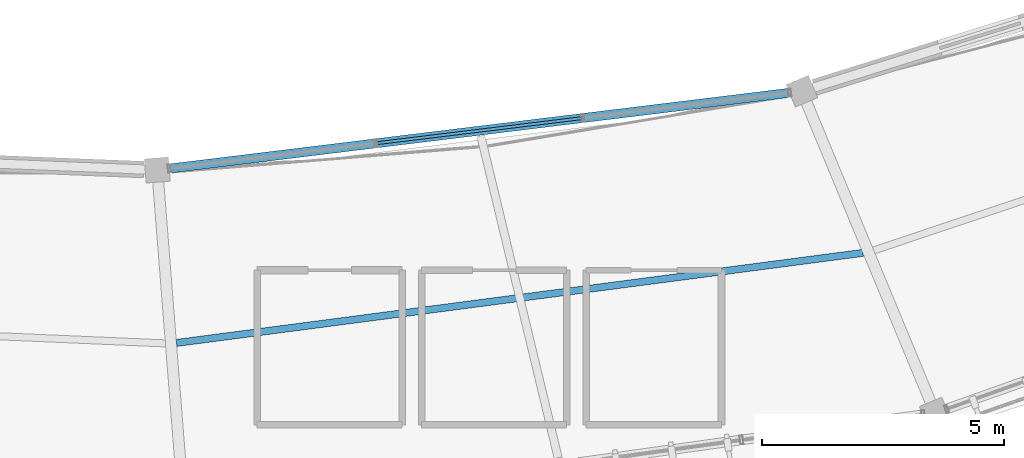
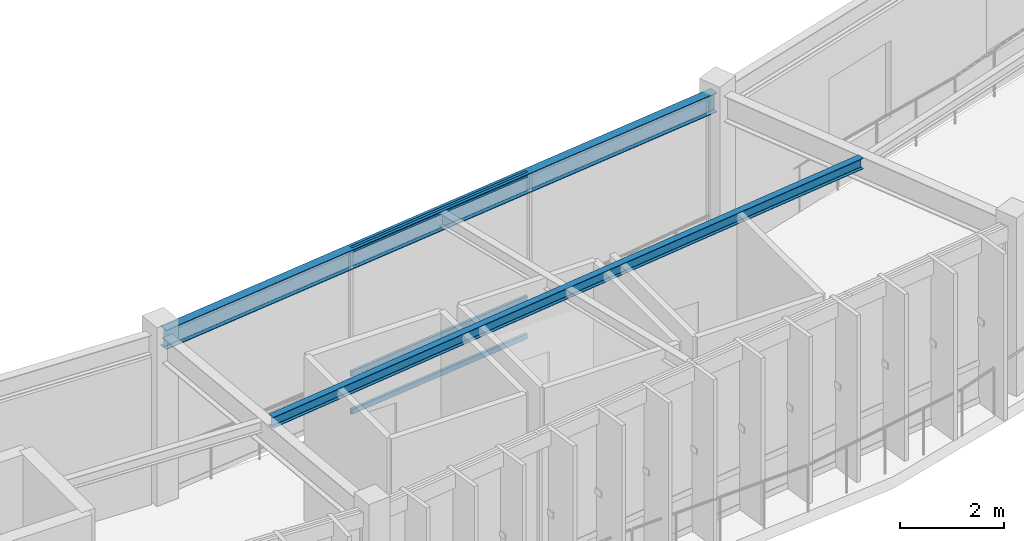
# One storey, part 21 of 78: 3 members, 2 beams, 1 element without a shape of its own.
"""IFC4 building model written with IfcOpenShell, lengths in metres."""

import ifcopenshell
import ifcopenshell.guid

model = None  # the IFC model being written
_history = None  # IfcOwnerHistory: only IFC2X3 demands one
_inside = {}  # id of a spatial element -> (the spatial element, [elements in it])
_under = {}  # id of a project, library or spatial element -> (it, [spatial elements below it])
_declared = {}  # id of a project -> (the project, [libraries it declares])
_typed = {}  # id of a type object -> (the type object, [elements of that type])
_made_of = {}  # id of a material, layer set ... -> (it, [elements and type objects made of it])


def new_model(schema):
    """Start an empty IFC model of exactly this schema.

    Asked for "IFC4X3", IfcOpenShell would pick the latest addendum, in which some entities
    have other attributes; the version numbers below select the first issue.
    IFC2X3 requires an IfcOwnerHistory on every rooted entity: one is made here for all.
    """
    global model, _history
    if schema == "IFC4X3":
        model = ifcopenshell.file(schema_version=(4, 3, 0, 0))
    else:
        model = ifcopenshell.file(schema=schema)
    _inside.clear()
    _under.clear()
    _declared.clear()
    _typed.clear()
    _made_of.clear()
    _history = None
    if model.schema == "IFC2X3":
        org = make("IfcOrganization", Name="unknown")
        user = make(
            "IfcPersonAndOrganization",
            ThePerson=make("IfcPerson", FamilyName="unknown"),
            TheOrganization=org,
        )
        app = make(
            "IfcApplication",
            ApplicationDeveloper=org,
            Version="unknown",
            ApplicationFullName="unknown",
            ApplicationIdentifier="unknown",
        )
        _history = make(
            "IfcOwnerHistory",
            OwningUser=user,
            OwningApplication=app,
            ChangeAction="ADDED",
            CreationDate=0,
        )
    return model


def make(cls, **values):
    """One entity of the class cls with the attributes given. An attribute that is None is left unset."""
    return model.create_entity(
        cls, **{name: value for name, value in values.items() if value is not None}
    )


def rooted(cls, **values):
    """An entity with a GlobalId (a new one), such as an element, a storey or a relation."""
    return make(cls, GlobalId=ifcopenshell.guid.new(), OwnerHistory=_history, **values)


def si_unit(unit_type, name, prefix=None):
    """IfcSIUnit, for example si_unit("LENGTHUNIT", "METRE", prefix="MILLI")."""
    return make("IfcSIUnit", UnitType=unit_type, Prefix=prefix, Name=name)


def assignment(units):
    """IfcUnitAssignment: the units of a project."""
    return None if units is None else make("IfcUnitAssignment", Units=units)


def point(xyz):
    """IfcCartesianPoint."""
    return None if xyz is None else make("IfcCartesianPoint", Coordinates=xyz)


def direction(xyz):
    """IfcDirection."""
    return None if xyz is None else make("IfcDirection", DirectionRatios=xyz)


def frame(location, z_axis=None, x_axis=None):
    """IfcAxis2Placement3D, a coordinate frame: its origin and axes. An axis left out is left unset."""
    return make(
        "IfcAxis2Placement3D",
        Location=point(location),
        Axis=direction(z_axis),
        RefDirection=direction(x_axis),
    )


def frame_2d(location, x_axis=None):
    """IfcAxis2Placement2D, a coordinate frame in the plane: its origin and x axis."""
    return make(
        "IfcAxis2Placement2D", Location=point(location), RefDirection=direction(x_axis)
    )


def origin():
    """The frame at (0, 0, 0) with its axes left unset."""
    return frame((0.0, 0.0, 0.0))


def origin_2d():
    """The frame at (0, 0) in the plane with its x axis left unset."""
    return frame_2d((0.0, 0.0))


def place(relative_to, where):
    """IfcLocalPlacement: puts the frame where relative to a parent placement (None: the world)."""
    return make(
        "IfcLocalPlacement", PlacementRelTo=relative_to, RelativePlacement=where
    )


def context(
    kind, dimensions, precision=None, world=None, true_north=None, identifier=None
):
    """IfcGeometricRepresentationContext, for example the 3D "Model" context."""
    return make(
        "IfcGeometricRepresentationContext",
        ContextIdentifier=identifier,
        ContextType=kind,
        CoordinateSpaceDimension=dimensions,
        Precision=precision,
        WorldCoordinateSystem=world,
        TrueNorth=true_north,
    )


def subcontext(parent, identifier, kind, view, scale=None):
    """IfcGeometricRepresentationSubContext, for example "Body" below "Model"."""
    return make(
        "IfcGeometricRepresentationSubContext",
        ContextIdentifier=identifier,
        ContextType=kind,
        ParentContext=parent,
        TargetScale=scale,
        TargetView=view,
    )


def project(units=None, contexts=None):
    """IfcProject with its units and contexts."""
    return rooted(
        "IfcProject",
        Name="project",
        RepresentationContexts=contexts,
        UnitsInContext=assignment(units),
    )


def spatial(cls, under=None, at=None, **own):
    """A site, building, storey or space (cls), placed at a placement, below another one or the project."""
    s = rooted(cls, ObjectPlacement=at, **own)
    if under is not None:
        _under.setdefault(under.id(), (under, []))[1].append(s)
    return s


def profile(cls, at=None, kind="AREA", **sizes):
    """A parametric profile (cls). Its sizes go by their IFC names, for example OverallWidth=200.0."""
    return make(cls, ProfileType=kind, Position=at, **sizes)


def hollow_rectangle(**sizes):
    """IfcRectangleHollowProfileDef."""
    return profile("IfcRectangleHollowProfileDef", **sizes)


def i_section(**sizes):
    """IfcIShapeProfileDef."""
    return profile("IfcIShapeProfileDef", **sizes)


def extrude(swept, where, along, depth):
    """IfcExtrudedAreaSolid: the profile swept, set in the frame where, extruded along a direction by depth."""
    return make(
        "IfcExtrudedAreaSolid",
        SweptArea=swept,
        Position=where,
        ExtrudedDirection=direction(along),
        Depth=depth,
    )


def shape(context_of_items, identifier, shape_type, items):
    """IfcShapeRepresentation: the items that make up one representation, for example the "Body"."""
    return make(
        "IfcShapeRepresentation",
        ContextOfItems=context_of_items,
        RepresentationIdentifier=identifier,
        RepresentationType=shape_type,
        Items=items,
    )


def material(Name=None, Category=None):
    """IfcMaterial."""
    return make("IfcMaterial", Name=Name, Category=Category)


def material_profile(
    of_material, cross_section, Name=None, Category=None, Priority=None
):
    """IfcMaterialProfile: a cross section and its material."""
    return make(
        "IfcMaterialProfile",
        Name=Name,
        Material=of_material,
        Profile=cross_section,
        Priority=Priority,
        Category=Category,
    )


def profile_set(profiles, Name=None, composite=None):
    """IfcMaterialProfileSet."""
    return make(
        "IfcMaterialProfileSet",
        Name=Name,
        MaterialProfiles=profiles,
        CompositeProfile=composite,
    )


def made_of(thing, what):
    """Note that an element or type object is made of a material, layer set ...; save() writes the relation."""
    if what is not None:
        _made_of.setdefault(what.id(), (what, []))[1].append(thing)
    return thing


def type_object(cls, material=None, **own):
    """A type object (cls), such as IfcWallType, which elements share."""
    return made_of(rooted(cls, **own), material)


def element(
    cls,
    number,
    at=None,
    inside=None,
    cuts=None,
    type_object=None,
    material=None,
    context=None,
    identifier="Body",
    shape_type=None,
    held_by="IfcProductDefinitionShape",
    body=None,
    shapes=None,
    **own,
):
    """One element of the class cls, such as IfcWall. Its Tag is "e" and its number.

    at: its placement. inside: the storey or other place that contains it. cuts: it is an
    opening in that element (IfcRelVoidsElement). A single representation is given by context,
    identifier, shape_type and body (its items); several are given by shapes. held_by: the class
    of the entity that holds the representations. save() writes the other relations.
    """
    e = rooted(cls, Tag="e%d" % number, ObjectPlacement=at, **own)
    if body is not None:
        shapes = [shape(context, identifier, shape_type, body)]
    if shapes is not None:
        e.Representation = make(held_by, Representations=shapes)
    if inside is not None:
        _inside.setdefault(inside.id(), (inside, []))[1].append(e)
    if cuts is not None:
        rooted(
            "IfcRelVoidsElement", RelatingBuildingElement=cuts, RelatedOpeningElement=e
        )
    if type_object is not None:
        _typed.setdefault(type_object.id(), (type_object, []))[1].append(e)
    return made_of(e, material)


def aggregate(whole, parts):
    """IfcRelAggregates: a whole, such as a stair, and the parts it consists of."""
    return rooted("IfcRelAggregates", RelatingObject=whole, RelatedObjects=parts)


def save(model, path):
    """Write the relations noted so far, then the file.

    IfcRelAggregates (storeys below a building ...), IfcRelContainedInSpatialStructure (elements
    in a storey), IfcRelDefinesByType, IfcRelAssociatesMaterial and IfcRelDeclares: one each for
    every whole, place, type object, material and project.
    """
    for whole, parts in _under.values():
        aggregate(whole, parts)
    for where, things in _inside.values():
        rooted(
            "IfcRelContainedInSpatialStructure",
            RelatedElements=things,
            RelatingStructure=where,
        )
    for kind, things in _typed.values():
        rooted("IfcRelDefinesByType", RelatedObjects=things, RelatingType=kind)
    for what, things in _made_of.values():
        rooted("IfcRelAssociatesMaterial", RelatedObjects=things, RelatingMaterial=what)
    for by, libraries in _declared.values():
        rooted("IfcRelDeclares", RelatingContext=by, RelatedDefinitions=libraries)
    model.write(path)


model = new_model("IFC4")

# Units and contexts
model_context = context("Model", 3, precision=1e-05, world=origin(), true_north=direction((0.0, 1.0)))
body_context = subcontext(model_context, "Body", "Model", "MODEL_VIEW")
ifc_project = project(units=[si_unit("LENGTHUNIT", "METRE"), si_unit("AREAUNIT", "SQUARE_METRE"), si_unit("VOLUMEUNIT", "CUBIC_METRE"), si_unit("PLANEANGLEUNIT", "RADIAN"), si_unit("MASSUNIT", "GRAM", prefix="KILO"), si_unit("THERMODYNAMICTEMPERATUREUNIT", "KELVIN"), si_unit("POWERUNIT", "WATT")], contexts=[model_context])

# Site, building, storey
site_placement = place(None, origin())
site = spatial("IfcSite", under=ifc_project, at=site_placement, CompositionType="ELEMENT")
building_placement = place(site_placement, origin())
building = spatial("IfcBuilding", under=site, at=building_placement, Name="Darbajah Civic Hall", CompositionType="ELEMENT")
storey_placement = place(building_placement, frame((0.0, 0.0, 26.39990234375)))
storey = spatial("IfcBuildingStorey", under=building, at=storey_placement, Name="L06", CompositionType="ELEMENT", Elevation=26.39990234375)

# Curtain wall, members
ifc_material_1 = material(Name="Anodised Bronze Aluminium and Low-E Glazing", Category="aluminium")
curtain_wall_type = type_object("IfcCurtainWallType", Name="Unitised Curtain Wall CW-73 12900x3900", PredefinedType="USERDEFINED", material=ifc_material_1)
curtain_wall_placement = place(storey_placement, origin())
curtain_wall = element("IfcCurtainWall", 1, at=curtain_wall_placement, inside=storey, type_object=curtain_wall_type, Name="L06 unitised curtain wall CW-V1I-L06-15", ObjectType="UNITISED CURTAIN WALL", PredefinedType="USERDEFINED")
ifc_material_2 = material(Name="Anodised Bronze Aluminium", Category="aluminium")
ifc_material_profile_1 = material_profile(ifc_material_2, hollow_rectangle(XDim=0.06005859375, YDim=0.1201171875, WallThickness=0.003173828125, at=origin_2d()), Name="ALU TRANSOM 60x120")
ifc_profile_set_1 = profile_set([ifc_material_profile_1], Name="Anodised Bronze Aluminium")
member_type = type_object("IfcMemberType", Name="ALU TRANSOM 60x120", PredefinedType="USERDEFINED", material=ifc_profile_set_1)
member_1_placement = place(storey_placement, frame((97.09619140625, 68.126220703125, 0.06005859375), z_axis=(0.992616293306, 0.121296719924, 0.0), x_axis=(-0.121296719924, 0.992616293306, 0.0)))
member_1 = element("IfcMember", 2, at=member_1_placement, type_object=member_type, Name="CW-V1I-L06-15 transom 2.1", ObjectType="TRANSOM", PredefinedType="USERDEFINED", context=body_context, shape_type="SweptSolid", body=[
    extrude(hollow_rectangle(XDim=0.06005859375, YDim=0.1201171875, WallThickness=0.003173828125, at=origin_2d()), origin(), (0.0, 0.0, 1.0), 4.23681640625),
])
member_2_placement = place(storey_placement, frame((97.09619140625, 68.126220703125, 0.9501953125), z_axis=(0.992616293306, 0.121296719924, 0.0), x_axis=(-0.121296719924, 0.992616293306, 0.0)))
member_2 = element("IfcMember", 3, at=member_2_placement, type_object=member_type, Name="CW-V1I-L06-15 transom 2.2", ObjectType="TRANSOM", PredefinedType="USERDEFINED", context=body_context, shape_type="SweptSolid", body=[
    extrude(hollow_rectangle(XDim=0.06005859375, YDim=0.1201171875, WallThickness=0.003173828125, at=origin_2d()), origin(), (0.0, 0.0, 1.0), 4.23681640625),
])
member_3_placement = place(storey_placement, frame((97.09619140625, 68.126220703125, 3.860107421875), z_axis=(0.992616293306, 0.121296719924, 0.0), x_axis=(-0.121296719924, 0.992616293306, 0.0)))
member_3 = element("IfcMember", 4, at=member_3_placement, type_object=member_type, Name="CW-V1I-L06-15 transom 2.3", ObjectType="TRANSOM", PredefinedType="USERDEFINED", context=body_context, shape_type="SweptSolid", body=[
    extrude(hollow_rectangle(XDim=0.06005859375, YDim=0.1201171875, WallThickness=0.003173828125, at=origin_2d()), origin(), (0.0, 0.0, 1.0), 4.23681640625),
])
aggregate(curtain_wall, [member_1, member_2, member_3])

# Beams
ifc_material_3 = material(Name="Steel S355JR", Category="steel")
ifc_material_profile_2 = material_profile(ifc_material_3, i_section(OverallWidth=0.146484375, OverallDepth=0.256103515625, WebThickness=0.00634765625, FlangeThickness=0.010986328125, FilletRadius=0.007568359375, at=origin_2d()), Name="UB 254x146x37")
ifc_profile_set_2 = profile_set([ifc_material_profile_2], Name="Steel S355JR")
beam_type_1 = type_object("IfcBeamType", Name="UB 254x146x37", PredefinedType="JOIST", material=ifc_profile_set_2)
beam_1_placement = place(storey_placement, frame((92.93408203125, 63.994873046875, 3.7919921875), z_axis=(0.991504446027, 0.130072800801, 0.0), x_axis=(-0.130072800801, 0.991504446027, 0.0)))
element("IfcBeam", 5, at=beam_1_placement, inside=storey, type_object=beam_type_1, Name="L06 beam SJ-254", PredefinedType="JOIST", context=body_context, shape_type="SweptSolid", body=[
    extrude(i_section(OverallWidth=0.146484375, OverallDepth=0.256103515625, WebThickness=0.00634765625, FlangeThickness=0.010986328125, FilletRadius=0.007568359375, at=origin_2d()), origin(), (0.0, 0.0, 1.0), 14.311767578125),
])
ifc_material_profile_3 = material_profile(ifc_material_3, i_section(OverallWidth=0.1904296875, OverallDepth=0.45703125, WebThickness=0.009033203125, FlangeThickness=0.014404296875, FilletRadius=0.01025390625, at=origin_2d()), Name="UB 457x191x74")
ifc_profile_set_3 = profile_set([ifc_material_profile_3], Name="Steel S355JR")
beam_type_2 = type_object("IfcBeamType", Name="UB 457x191x74", PredefinedType="BEAM", material=ifc_profile_set_3)
beam_2_placement = place(storey_placement, frame((92.615966796875, 67.578369140625, 3.691650390625), z_axis=(0.992611744559, 0.121333938216, 0.0), x_axis=(-0.121333938216, 0.992611744559, 0.0)))
element("IfcBeam", 6, at=beam_2_placement, inside=storey, type_object=beam_type_2, Name="L06 beam SB-457", PredefinedType="BEAM", context=body_context, shape_type="SweptSolid", body=[
    extrude(i_section(OverallWidth=0.1904296875, OverallDepth=0.45703125, WebThickness=0.009033203125, FlangeThickness=0.014404296875, FilletRadius=0.01025390625, at=origin_2d()), origin(), (0.0, 0.0, 1.0), 13.263916015625),
])

save(model, "model.ifc")
